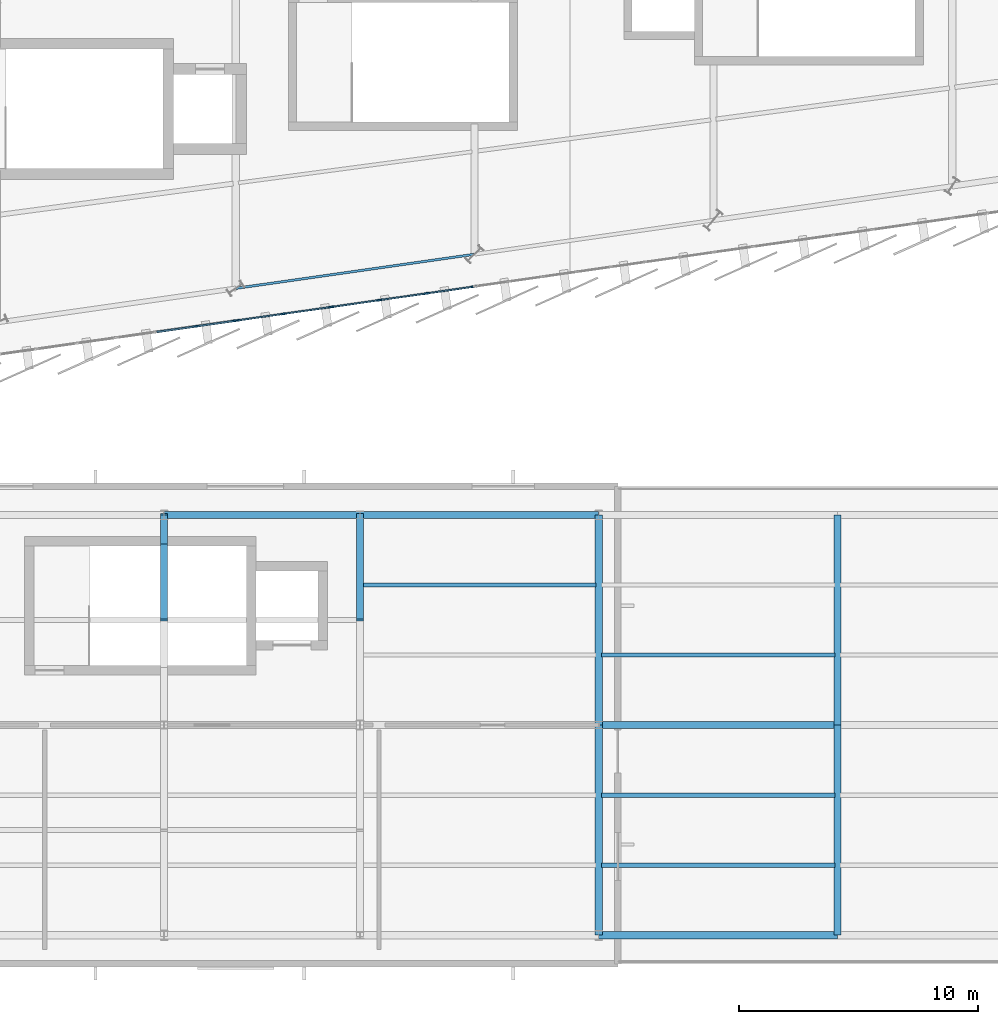
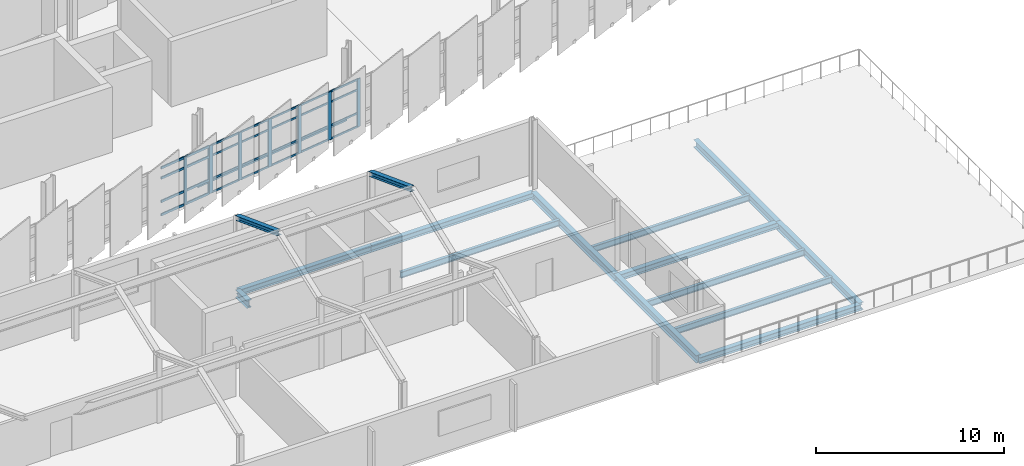
# One storey, part 23 of 87: 36 members, 16 beams, 2 elements without a shape of their own.
"""IFC4 building model written with IfcOpenShell, lengths in metres."""

from ifc_helpers import new_model, si_unit, direction, frame, origin, origin_2d, place, context, subcontext, project, spatial, rectangle, hollow_rectangle, i_section, extrude, material, layer, layer_set, material_profile, profile_set, type_object, element, aggregate, save


model = new_model("IFC4")

# Units and contexts
model_context = context("Model", 3, precision=1e-05, world=origin(), true_north=direction((0.0, 1.0)))
body_context = subcontext(model_context, "Body", "Model", "MODEL_VIEW")
ifc_project = project(units=[si_unit("LENGTHUNIT", "METRE"), si_unit("AREAUNIT", "SQUARE_METRE"), si_unit("VOLUMEUNIT", "CUBIC_METRE"), si_unit("PLANEANGLEUNIT", "RADIAN"), si_unit("MASSUNIT", "GRAM", prefix="KILO")], contexts=[model_context])

# Site, building, storey
site_placement = place(None, origin())
site = spatial("IfcSite", under=ifc_project, at=site_placement, CompositionType="ELEMENT")
building_placement = place(site_placement, origin())
building = spatial("IfcBuilding", under=site, at=building_placement, Name="Sohan Crest Arena", CompositionType="ELEMENT")
storey_placement = place(building_placement, frame((0.0, 0.0, 18.0)))
storey = spatial("IfcBuildingStorey", under=building, at=storey_placement, Name="L04", CompositionType="ELEMENT", Elevation=18.0)

# Curtain wall, members
ifc_material_1 = material(Name="Thermally broken anodised aluminium", Category="aluminium")
ifc_layer_1 = layer(ifc_material_1, 0.219970703125, Name="Thermally broken anodised aluminium")
ifc_layer_set_1 = layer_set([ifc_layer_1], Name="Thermally broken anodised aluminium")
curtain_wall_type_1 = type_object("IfcCurtainWallType", Name="ARC-CW03", PredefinedType="NOTDEFINED", material=ifc_layer_set_1)
curtain_wall_1_placement = place(storey_placement, origin())
curtain_wall_1 = element("IfcCurtainWall", 1, at=curtain_wall_1_placement, inside=storey, type_object=curtain_wall_type_1, Name="Unitised curtain wall CW-126", PredefinedType="NOTDEFINED")
ifc_material_profile_1 = material_profile(ifc_material_1, rectangle(XDim=0.070068359375, YDim=0.199951171875, at=origin_2d()), Name="ALU-MULL 70x200")
ifc_profile_set_1 = profile_set([ifc_material_profile_1], Name="Thermally broken anodised aluminium")
member_type_1 = type_object("IfcMemberType", Name="ARC-CW-ML03", PredefinedType="MULLION", material=ifc_profile_set_1)
member_1_placement = place(storey_placement, frame((126.333251953125, 32.69775390625, 0.0), z_axis=(0.0, 0.0, 1.0), x_axis=(-0.141462933734, 0.989943553128, 0.0)))
member_1 = element("IfcMember", 2, at=member_1_placement, type_object=member_type_1, Name="CW-126 mullion 6", PredefinedType="MULLION", context=body_context, shape_type="SweptSolid", body=[
    extrude(rectangle(XDim=0.070068359375, YDim=0.199951171875, at=origin_2d()), origin(), (0.0, 0.0, 1.0), 3.1201171875),
])
member_2_placement = place(storey_placement, frame((127.96533203125, 32.93115234375, 0.0), z_axis=(0.0, 0.0, 1.0), x_axis=(-0.141462933734, 0.989943553128, 0.0)))
member_2 = element("IfcMember", 3, at=member_2_placement, type_object=member_type_1, Name="CW-126 mullion 7", PredefinedType="MULLION", context=body_context, shape_type="SweptSolid", body=[
    extrude(rectangle(XDim=0.070068359375, YDim=0.199951171875, at=origin_2d()), origin(), (0.0, 0.0, 1.0), 3.1201171875),
])

ifc_layer_2 = layer(ifc_material_1, 0.239990234375, Name="Thermally broken anodised aluminium")
ifc_layer_set_2 = layer_set([ifc_layer_2], Name="Thermally broken anodised aluminium")
curtain_wall_type_2 = type_object("IfcCurtainWallType", Name="ARC-CW04", PredefinedType="NOTDEFINED", material=ifc_layer_set_2)
curtain_wall_2_placement = place(storey_placement, origin())
curtain_wall_2 = element("IfcCurtainWall", 4, at=curtain_wall_2_placement, inside=storey, type_object=curtain_wall_type_2, Name="Unitised curtain wall CW-127", PredefinedType="NOTDEFINED")
ifc_material_profile_2 = material_profile(ifc_material_1, rectangle(XDim=0.074951171875, YDim=0.219970703125, at=origin_2d()), Name="ALU-MULL 75x220")
ifc_profile_set_2 = profile_set([ifc_material_profile_2], Name="Thermally broken anodised aluminium")
member_type_2 = type_object("IfcMemberType", Name="ARC-CW-ML04", PredefinedType="MULLION", material=ifc_profile_set_2)
member_3_placement = place(storey_placement, frame((128.037109375, 32.94140625, 0.0), z_axis=(0.0, 0.0, 1.0), x_axis=(-0.141365918403, 0.989957411768, 0.0)))
member_3 = element("IfcMember", 5, at=member_3_placement, type_object=member_type_2, Name="CW-127 mullion 1", PredefinedType="MULLION", context=body_context, shape_type="SweptSolid", body=[
    extrude(rectangle(XDim=0.074951171875, YDim=0.219970703125, at=origin_2d()), origin(), (0.0, 0.0, 1.0), 3.1201171875),
])
member_4_placement = place(storey_placement, frame((130.0, 33.2216796875, 0.0), z_axis=(0.0, 0.0, 1.0), x_axis=(-0.141365918403, 0.989957411768, 0.0)))
member_4 = element("IfcMember", 6, at=member_4_placement, type_object=member_type_2, Name="CW-127 mullion 2", PredefinedType="MULLION", context=body_context, shape_type="SweptSolid", body=[
    extrude(rectangle(XDim=0.074951171875, YDim=0.219970703125, at=origin_2d()), origin(), (0.0, 0.0, 1.0), 3.1201171875),
])
member_5_placement = place(storey_placement, frame((132.0, 33.507080078125, 0.0), z_axis=(0.0, 0.0, 1.0), x_axis=(-0.141365918403, 0.989957411768, 0.0)))
member_5 = element("IfcMember", 7, at=member_5_placement, type_object=member_type_2, Name="CW-127 mullion 3", PredefinedType="MULLION", context=body_context, shape_type="SweptSolid", body=[
    extrude(rectangle(XDim=0.074951171875, YDim=0.219970703125, at=origin_2d()), origin(), (0.0, 0.0, 1.0), 3.1201171875),
])
member_6_placement = place(storey_placement, frame((134.0, 33.792724609375, 0.0), z_axis=(0.0, 0.0, 1.0), x_axis=(-0.141365918403, 0.989957411768, 0.0)))
member_6 = element("IfcMember", 8, at=member_6_placement, type_object=member_type_2, Name="CW-127 mullion 4", PredefinedType="MULLION", context=body_context, shape_type="SweptSolid", body=[
    extrude(rectangle(XDim=0.074951171875, YDim=0.219970703125, at=origin_2d()), origin(), (0.0, 0.0, 1.0), 3.1201171875),
])
member_7_placement = place(storey_placement, frame((136.0, 34.078369140625, 0.0), z_axis=(0.0, 0.0, 1.0), x_axis=(-0.141365918403, 0.989957411768, 0.0)))
member_7 = element("IfcMember", 9, at=member_7_placement, type_object=member_type_2, Name="CW-127 mullion 5", PredefinedType="MULLION", context=body_context, shape_type="SweptSolid", body=[
    extrude(rectangle(XDim=0.074951171875, YDim=0.219970703125, at=origin_2d()), origin(), (0.0, 0.0, 1.0), 3.1201171875),
])
member_8_placement = place(storey_placement, frame((137.962890625, 34.358642578125, 0.0), z_axis=(0.0, 0.0, 1.0), x_axis=(-0.141365918403, 0.989957411768, 0.0)))
member_8 = element("IfcMember", 10, at=member_8_placement, type_object=member_type_2, Name="CW-127 mullion 6", PredefinedType="MULLION", context=body_context, shape_type="SweptSolid", body=[
    extrude(rectangle(XDim=0.074951171875, YDim=0.219970703125, at=origin_2d()), origin(), (0.0, 0.0, 1.0), 3.1201171875),
])
ifc_material_profile_3 = material_profile(ifc_material_1, rectangle(XDim=0.06005859375, YDim=0.1201171875, at=origin_2d()), Name="ALU-TRAN 60x120")
ifc_profile_set_3 = profile_set([ifc_material_profile_3], Name="Thermally broken anodised aluminium")
member_type_3 = type_object("IfcMemberType", Name="ARC-CW-TR01", PredefinedType="USERDEFINED", material=ifc_profile_set_3)
member_9_placement = place(storey_placement, frame((128.07421875, 32.946533203125, 0.030029296875), z_axis=(0.989952052837, 0.141403440846, 0.0), x_axis=(-0.141403440846, 0.989952052837, 0.0)))
member_9 = element("IfcMember", 11, at=member_9_placement, type_object=member_type_3, Name="CW-127 transom 1.1", ObjectType="TRANSOM", PredefinedType="USERDEFINED", context=body_context, shape_type="SweptSolid", body=[
    extrude(rectangle(XDim=0.06005859375, YDim=0.1201171875, at=origin_2d()), origin(), (0.0, 0.0, 1.0), 1.907958984375),
])
member_10_placement = place(storey_placement, frame((128.07421875, 32.946533203125, 0.89990234375), z_axis=(0.989952052837, 0.141403440846, 0.0), x_axis=(-0.141403440846, 0.989952052837, 0.0)))
member_10 = element("IfcMember", 12, at=member_10_placement, type_object=member_type_3, Name="CW-127 transom 1.2", ObjectType="TRANSOM", PredefinedType="USERDEFINED", context=body_context, shape_type="SweptSolid", body=[
    extrude(rectangle(XDim=0.06005859375, YDim=0.1201171875, at=origin_2d()), origin(), (0.0, 0.0, 1.0), 1.907958984375),
])
member_11_placement = place(storey_placement, frame((128.07421875, 32.946533203125, 2.419921875), z_axis=(0.989952052837, 0.141403440846, 0.0), x_axis=(-0.141403440846, 0.989952052837, 0.0)))
member_11 = element("IfcMember", 13, at=member_11_placement, type_object=member_type_3, Name="CW-127 transom 1.3", ObjectType="TRANSOM", PredefinedType="USERDEFINED", context=body_context, shape_type="SweptSolid", body=[
    extrude(rectangle(XDim=0.06005859375, YDim=0.1201171875, at=origin_2d()), origin(), (0.0, 0.0, 1.0), 1.907958984375),
])
member_12_placement = place(storey_placement, frame((128.07421875, 32.946533203125, 3.090087890625), z_axis=(0.989952052837, 0.141403440846, 0.0), x_axis=(-0.141403440846, 0.989952052837, 0.0)))
member_12 = element("IfcMember", 14, at=member_12_placement, type_object=member_type_3, Name="CW-127 transom 1.4", ObjectType="TRANSOM", PredefinedType="USERDEFINED", context=body_context, shape_type="SweptSolid", body=[
    extrude(rectangle(XDim=0.06005859375, YDim=0.1201171875, at=origin_2d()), origin(), (0.0, 0.0, 1.0), 1.907958984375),
])
member_13_placement = place(storey_placement, frame((130.037109375, 33.226806640625, 0.030029296875), z_axis=(0.989946983498, 0.141438926268, 0.0), x_axis=(-0.141438926268, 0.989946983498, 0.0)))
member_13 = element("IfcMember", 15, at=member_13_placement, type_object=member_type_3, Name="CW-127 transom 2.1", ObjectType="TRANSOM", PredefinedType="USERDEFINED", context=body_context, shape_type="SweptSolid", body=[
    extrude(rectangle(XDim=0.06005859375, YDim=0.1201171875, at=origin_2d()), origin(), (0.0, 0.0, 1.0), 1.9453125),
])
member_14_placement = place(storey_placement, frame((130.037109375, 33.226806640625, 0.89990234375), z_axis=(0.989946983498, 0.141438926268, 0.0), x_axis=(-0.141438926268, 0.989946983498, 0.0)))
member_14 = element("IfcMember", 16, at=member_14_placement, type_object=member_type_3, Name="CW-127 transom 2.2", ObjectType="TRANSOM", PredefinedType="USERDEFINED", context=body_context, shape_type="SweptSolid", body=[
    extrude(rectangle(XDim=0.06005859375, YDim=0.1201171875, at=origin_2d()), origin(), (0.0, 0.0, 1.0), 1.9453125),
])
member_15_placement = place(storey_placement, frame((130.037109375, 33.226806640625, 2.419921875), z_axis=(0.989946983498, 0.141438926268, 0.0), x_axis=(-0.141438926268, 0.989946983498, 0.0)))
member_15 = element("IfcMember", 17, at=member_15_placement, type_object=member_type_3, Name="CW-127 transom 2.3", ObjectType="TRANSOM", PredefinedType="USERDEFINED", context=body_context, shape_type="SweptSolid", body=[
    extrude(rectangle(XDim=0.06005859375, YDim=0.1201171875, at=origin_2d()), origin(), (0.0, 0.0, 1.0), 1.9453125),
])
member_16_placement = place(storey_placement, frame((130.037109375, 33.226806640625, 3.090087890625), z_axis=(0.989946983498, 0.141438926268, 0.0), x_axis=(-0.141438926268, 0.989946983498, 0.0)))
member_16 = element("IfcMember", 18, at=member_16_placement, type_object=member_type_3, Name="CW-127 transom 2.4", ObjectType="TRANSOM", PredefinedType="USERDEFINED", context=body_context, shape_type="SweptSolid", body=[
    extrude(rectangle(XDim=0.06005859375, YDim=0.1201171875, at=origin_2d()), origin(), (0.0, 0.0, 1.0), 1.9453125),
])
member_17_placement = place(storey_placement, frame((132.037109375, 33.512451171875, 0.030029296875), z_axis=(0.989946983498, 0.141438926268, 0.0), x_axis=(-0.141438926268, 0.989946983498, 0.0)))
member_17 = element("IfcMember", 19, at=member_17_placement, type_object=member_type_3, Name="CW-127 transom 3.1", ObjectType="TRANSOM", PredefinedType="USERDEFINED", context=body_context, shape_type="SweptSolid", body=[
    extrude(rectangle(XDim=0.06005859375, YDim=0.1201171875, at=origin_2d()), origin(), (0.0, 0.0, 1.0), 1.9453125),
])
member_18_placement = place(storey_placement, frame((132.037109375, 33.512451171875, 0.89990234375), z_axis=(0.989946983498, 0.141438926268, 0.0), x_axis=(-0.141438926268, 0.989946983498, 0.0)))
member_18 = element("IfcMember", 20, at=member_18_placement, type_object=member_type_3, Name="CW-127 transom 3.2", ObjectType="TRANSOM", PredefinedType="USERDEFINED", context=body_context, shape_type="SweptSolid", body=[
    extrude(rectangle(XDim=0.06005859375, YDim=0.1201171875, at=origin_2d()), origin(), (0.0, 0.0, 1.0), 1.9453125),
])
member_19_placement = place(storey_placement, frame((132.037109375, 33.512451171875, 2.419921875), z_axis=(0.989946983498, 0.141438926268, 0.0), x_axis=(-0.141438926268, 0.989946983498, 0.0)))
member_19 = element("IfcMember", 21, at=member_19_placement, type_object=member_type_3, Name="CW-127 transom 3.3", ObjectType="TRANSOM", PredefinedType="USERDEFINED", context=body_context, shape_type="SweptSolid", body=[
    extrude(rectangle(XDim=0.06005859375, YDim=0.1201171875, at=origin_2d()), origin(), (0.0, 0.0, 1.0), 1.9453125),
])
member_20_placement = place(storey_placement, frame((132.037109375, 33.512451171875, 3.090087890625), z_axis=(0.989946983498, 0.141438926268, 0.0), x_axis=(-0.141438926268, 0.989946983498, 0.0)))
member_20 = element("IfcMember", 22, at=member_20_placement, type_object=member_type_3, Name="CW-127 transom 3.4", ObjectType="TRANSOM", PredefinedType="USERDEFINED", context=body_context, shape_type="SweptSolid", body=[
    extrude(rectangle(XDim=0.06005859375, YDim=0.1201171875, at=origin_2d()), origin(), (0.0, 0.0, 1.0), 1.9453125),
])
member_21_placement = place(storey_placement, frame((134.037109375, 33.798095703125, 0.030029296875), z_axis=(0.98996454836, 0.141315933247, 0.0), x_axis=(-0.141315933247, 0.98996454836, 0.0)))
member_21 = element("IfcMember", 23, at=member_21_placement, type_object=member_type_3, Name="CW-127 transom 4.1", ObjectType="TRANSOM", PredefinedType="USERDEFINED", context=body_context, shape_type="SweptSolid", body=[
    extrude(rectangle(XDim=0.06005859375, YDim=0.1201171875, at=origin_2d()), origin(), (0.0, 0.0, 1.0), 1.9453125),
])
member_22_placement = place(storey_placement, frame((134.037109375, 33.798095703125, 0.89990234375), z_axis=(0.98996454836, 0.141315933247, 0.0), x_axis=(-0.141315933247, 0.98996454836, 0.0)))
member_22 = element("IfcMember", 24, at=member_22_placement, type_object=member_type_3, Name="CW-127 transom 4.2", ObjectType="TRANSOM", PredefinedType="USERDEFINED", context=body_context, shape_type="SweptSolid", body=[
    extrude(rectangle(XDim=0.06005859375, YDim=0.1201171875, at=origin_2d()), origin(), (0.0, 0.0, 1.0), 1.9453125),
])
member_23_placement = place(storey_placement, frame((134.037109375, 33.798095703125, 2.419921875), z_axis=(0.98996454836, 0.141315933247, 0.0), x_axis=(-0.141315933247, 0.98996454836, 0.0)))
member_23 = element("IfcMember", 25, at=member_23_placement, type_object=member_type_3, Name="CW-127 transom 4.3", ObjectType="TRANSOM", PredefinedType="USERDEFINED", context=body_context, shape_type="SweptSolid", body=[
    extrude(rectangle(XDim=0.06005859375, YDim=0.1201171875, at=origin_2d()), origin(), (0.0, 0.0, 1.0), 1.9453125),
])
member_24_placement = place(storey_placement, frame((134.037109375, 33.798095703125, 3.090087890625), z_axis=(0.98996454836, 0.141315933247, 0.0), x_axis=(-0.141315933247, 0.98996454836, 0.0)))
member_24 = element("IfcMember", 26, at=member_24_placement, type_object=member_type_3, Name="CW-127 transom 4.4", ObjectType="TRANSOM", PredefinedType="USERDEFINED", context=body_context, shape_type="SweptSolid", body=[
    extrude(rectangle(XDim=0.06005859375, YDim=0.1201171875, at=origin_2d()), origin(), (0.0, 0.0, 1.0), 1.9453125),
])
member_25_placement = place(storey_placement, frame((136.037109375, 34.083740234375, 0.030029296875), z_axis=(0.989952052837, 0.141403440846, 0.0), x_axis=(-0.141403440846, 0.989952052837, 0.0)))
member_25 = element("IfcMember", 27, at=member_25_placement, type_object=member_type_3, Name="CW-127 transom 5.1", ObjectType="TRANSOM", PredefinedType="USERDEFINED", context=body_context, shape_type="SweptSolid", body=[
    extrude(rectangle(XDim=0.06005859375, YDim=0.1201171875, at=origin_2d()), origin(), (0.0, 0.0, 1.0), 1.907958984375),
])
member_26_placement = place(storey_placement, frame((136.037109375, 34.083740234375, 0.89990234375), z_axis=(0.989952052837, 0.141403440846, 0.0), x_axis=(-0.141403440846, 0.989952052837, 0.0)))
member_26 = element("IfcMember", 28, at=member_26_placement, type_object=member_type_3, Name="CW-127 transom 5.2", ObjectType="TRANSOM", PredefinedType="USERDEFINED", context=body_context, shape_type="SweptSolid", body=[
    extrude(rectangle(XDim=0.06005859375, YDim=0.1201171875, at=origin_2d()), origin(), (0.0, 0.0, 1.0), 1.907958984375),
])
member_27_placement = place(storey_placement, frame((136.037109375, 34.083740234375, 2.419921875), z_axis=(0.989952052837, 0.141403440846, 0.0), x_axis=(-0.141403440846, 0.989952052837, 0.0)))
member_27 = element("IfcMember", 29, at=member_27_placement, type_object=member_type_3, Name="CW-127 transom 5.3", ObjectType="TRANSOM", PredefinedType="USERDEFINED", context=body_context, shape_type="SweptSolid", body=[
    extrude(rectangle(XDim=0.06005859375, YDim=0.1201171875, at=origin_2d()), origin(), (0.0, 0.0, 1.0), 1.907958984375),
])
member_28_placement = place(storey_placement, frame((136.037109375, 34.083740234375, 3.090087890625), z_axis=(0.989952052837, 0.141403440846, 0.0), x_axis=(-0.141403440846, 0.989952052837, 0.0)))
member_28 = element("IfcMember", 30, at=member_28_placement, type_object=member_type_3, Name="CW-127 transom 5.4", ObjectType="TRANSOM", PredefinedType="USERDEFINED", context=body_context, shape_type="SweptSolid", body=[
    extrude(rectangle(XDim=0.06005859375, YDim=0.1201171875, at=origin_2d()), origin(), (0.0, 0.0, 1.0), 1.907958984375),
])
aggregate(curtain_wall_2, [member_3, member_4, member_5, member_6, member_7, member_8, member_9, member_10, member_11, member_12, member_13, member_14, member_15, member_16, member_17, member_18, member_19, member_20, member_21, member_22, member_23, member_24, member_25, member_26, member_27, member_28])

# Member
ifc_material_profile_4 = material_profile(ifc_material_1, rectangle(XDim=0.070068359375, YDim=0.14990234375, at=origin_2d()), Name="ALU-TRAN 70x150")
ifc_profile_set_4 = profile_set([ifc_material_profile_4], Name="Thermally broken anodised aluminium")
member_type_4 = type_object("IfcMemberType", Name="ARC-CW-TR03", PredefinedType="USERDEFINED", material=ifc_profile_set_4)
member_29_placement = place(storey_placement, frame((124.701416015625, 32.464599609375, 0.034912109375), z_axis=(0.989940412375, 0.141484910665, 0.0), x_axis=(-0.141484910665, 0.989940412375, 0.0)))
member_29 = element("IfcMember", 31, at=member_29_placement, type_object=member_type_4, Name="CW-126 transom 5.1", ObjectType="TRANSOM", PredefinedType="USERDEFINED", context=body_context, shape_type="SweptSolid", body=[
    extrude(rectangle(XDim=0.070068359375, YDim=0.14990234375, at=origin_2d()), origin(), (0.0, 0.0, 1.0), 1.61328125),
])

member_30_placement = place(storey_placement, frame((124.701416015625, 32.464599609375, 0.89990234375), z_axis=(0.989940412375, 0.141484910665, 0.0), x_axis=(-0.141484910665, 0.989940412375, 0.0)))
member_30 = element("IfcMember", 32, at=member_30_placement, type_object=member_type_4, Name="CW-126 transom 5.2", ObjectType="TRANSOM", PredefinedType="USERDEFINED", context=body_context, shape_type="SweptSolid", body=[
    extrude(rectangle(XDim=0.070068359375, YDim=0.14990234375, at=origin_2d()), origin(), (0.0, 0.0, 1.0), 1.61328125),
])

member_31_placement = place(storey_placement, frame((124.701416015625, 32.464599609375, 2.419921875), z_axis=(0.989940412375, 0.141484910665, 0.0), x_axis=(-0.141484910665, 0.989940412375, 0.0)))
member_31 = element("IfcMember", 33, at=member_31_placement, type_object=member_type_4, Name="CW-126 transom 5.3", ObjectType="TRANSOM", PredefinedType="USERDEFINED", context=body_context, shape_type="SweptSolid", body=[
    extrude(rectangle(XDim=0.070068359375, YDim=0.14990234375, at=origin_2d()), origin(), (0.0, 0.0, 1.0), 1.61328125),
])

member_32_placement = place(storey_placement, frame((124.701416015625, 32.464599609375, 3.0849609375), z_axis=(0.989940412375, 0.141484910665, 0.0), x_axis=(-0.141484910665, 0.989940412375, 0.0)))
member_32 = element("IfcMember", 34, at=member_32_placement, type_object=member_type_4, Name="CW-126 transom 5.4", ObjectType="TRANSOM", PredefinedType="USERDEFINED", context=body_context, shape_type="SweptSolid", body=[
    extrude(rectangle(XDim=0.070068359375, YDim=0.14990234375, at=origin_2d()), origin(), (0.0, 0.0, 1.0), 1.61328125),
])

member_33_placement = place(storey_placement, frame((126.367919921875, 32.702880859375, 0.034912109375), z_axis=(0.989958770944, 0.141356400038, 0.0), x_axis=(-0.141356400038, 0.989958770944, 0.0)))
member_33 = element("IfcMember", 35, at=member_33_placement, type_object=member_type_4, Name="CW-126 transom 6.1", ObjectType="TRANSOM", PredefinedType="USERDEFINED", context=body_context, shape_type="SweptSolid", body=[
    extrude(rectangle(XDim=0.070068359375, YDim=0.14990234375, at=origin_2d()), origin(), (0.0, 0.0, 1.0), 1.57861328125),
])

member_34_placement = place(storey_placement, frame((126.367919921875, 32.702880859375, 0.89990234375), z_axis=(0.989958770944, 0.141356400038, 0.0), x_axis=(-0.141356400038, 0.989958770944, 0.0)))
member_34 = element("IfcMember", 36, at=member_34_placement, type_object=member_type_4, Name="CW-126 transom 6.2", ObjectType="TRANSOM", PredefinedType="USERDEFINED", context=body_context, shape_type="SweptSolid", body=[
    extrude(rectangle(XDim=0.070068359375, YDim=0.14990234375, at=origin_2d()), origin(), (0.0, 0.0, 1.0), 1.57861328125),
])

member_35_placement = place(storey_placement, frame((126.367919921875, 32.702880859375, 2.419921875), z_axis=(0.989958770944, 0.141356400038, 0.0), x_axis=(-0.141356400038, 0.989958770944, 0.0)))
member_35 = element("IfcMember", 37, at=member_35_placement, type_object=member_type_4, Name="CW-126 transom 6.3", ObjectType="TRANSOM", PredefinedType="USERDEFINED", context=body_context, shape_type="SweptSolid", body=[
    extrude(rectangle(XDim=0.070068359375, YDim=0.14990234375, at=origin_2d()), origin(), (0.0, 0.0, 1.0), 1.57861328125),
])

member_36_placement = place(storey_placement, frame((126.367919921875, 32.702880859375, 3.0849609375), z_axis=(0.989958770944, 0.141356400038, 0.0), x_axis=(-0.141356400038, 0.989958770944, 0.0)))
member_36 = element("IfcMember", 38, at=member_36_placement, type_object=member_type_4, Name="CW-126 transom 6.4", ObjectType="TRANSOM", PredefinedType="USERDEFINED", context=body_context, shape_type="SweptSolid", body=[
    extrude(rectangle(XDim=0.070068359375, YDim=0.14990234375, at=origin_2d()), origin(), (0.0, 0.0, 1.0), 1.57861328125),
])

aggregate(curtain_wall_1, [member_1, member_2, member_29, member_30, member_31, member_32, member_33, member_34, member_35, member_36])

# Beams
ifc_material_2 = material(Name="Steel S355", Category="steel")
ifc_material_profile_5 = material_profile(ifc_material_2, i_section(OverallWidth=0.179931640625, OverallDepth=0.39990234375, WebThickness=0.008544921875, FlangeThickness=0.013427734375, at=origin_2d()), Name="IPE 400")
ifc_profile_set_5 = profile_set([ifc_material_profile_5], Name="Steel S355")
beam_type_1 = type_object("IfcBeamType", Name="STR-BM-B03", PredefinedType="JOIST", material=ifc_profile_set_5)
for number, where, z_axis, x_axis, name in (
    (39, (143.31005859375, 10.133056640625, -0.544921875), (1.0, 0.0, 0.0), (0.0, 1.0, 0.0), "Structural beam J-L04-2814"),
    (40, (143.31005859375, 13.06689453125, -0.544921875), (1.0, 0.0, 0.0), (0.0, 1.0, 0.0), "Structural beam J-L04-2815"),
    (41, (133.31005859375, 21.866943359375, -0.449951171875), (1.0, 0.0, 0.0), (0.0, 1.0, 0.0), "Structural beam J-L04-2831"),
    (42, (143.31005859375, 18.93310546875, -0.544921875), (1.0, 0.0, 0.0), (0.0, 1.0, 0.0), "Structural beam J-L04-2833"),
):
    element("IfcBeam", number, at=place(storey_placement, frame(where, z_axis=z_axis, x_axis=x_axis)), inside=storey, type_object=beam_type_1, Name=name, PredefinedType="JOIST", context=body_context, shape_type="SweptSolid", body=[
        extrude(i_section(OverallWidth=0.179931640625, OverallDepth=0.39990234375, WebThickness=0.008544921875, FlangeThickness=0.013427734375, at=origin_2d()), origin(), (0.0, 0.0, 1.0), 9.780029296875),
    ])
ifc_material_profile_6 = material_profile(ifc_material_2, i_section(OverallWidth=0.300048828125, OverallDepth=0.2900390625, WebThickness=0.008544921875, FlangeThickness=0.013916015625, at=origin_2d()), Name="HEA 300")
ifc_profile_set_6 = profile_set([ifc_material_profile_6], Name="Steel S355")
beam_type_2 = type_object("IfcBeamType", Name="STR-BM-B08", PredefinedType="BEAM", material=ifc_profile_set_6)
for number, where, z_axis, x_axis, name in (
    (43, (125.0, 20.39990234375, 6.080078125), (0.0, 0.93562113017, -0.35300580842), (-1.0, 0.0, 0.0), "Structural beam BVA-L04-3226"),
    (44, (133.199951171875, 20.39990234375, 6.080078125), (0.0, 0.93562113017, -0.35300580842), (-1.0, 0.0, 0.0), "Structural beam BVA-L04-3228"),
):
    element("IfcBeam", number, at=place(storey_placement, frame(where, z_axis=z_axis, x_axis=x_axis)), inside=storey, type_object=beam_type_2, Name=name, PredefinedType="BEAM", context=body_context, shape_type="SweptSolid", body=[
        extrude(i_section(OverallWidth=0.300048828125, OverallDepth=0.2900390625, WebThickness=0.008544921875, FlangeThickness=0.013916015625, at=origin_2d()), origin(), (0.0, 0.0, 1.0), 4.702880859375),
    ])
ifc_material_profile_7 = material_profile(ifc_material_2, i_section(OverallWidth=0.300048828125, OverallDepth=0.389892578125, WebThickness=0.010986328125, FlangeThickness=0.01904296875, at=origin_2d()), Name="HEA 400")
ifc_profile_set_7 = profile_set([ifc_material_profile_7], Name="Steel S355")
beam_type_3 = type_object("IfcBeamType", Name="STR-BM-B09", PredefinedType="BEAM", material=ifc_profile_set_7)
for number, where, z_axis, x_axis, name in (
    (45, (143.199951171875, 7.199951171875, -0.5400390625), (1.0, 0.0, 0.0), (0.0, 1.0, 0.0), "Structural beam G-L04-2813"),
    (46, (143.199951171875, 16.0, -0.5400390625), (1.0, 0.0, 0.0), (0.0, 1.0, 0.0), "Structural beam G-L04-2832"),
):
    element("IfcBeam", number, at=place(storey_placement, frame(where, z_axis=z_axis, x_axis=x_axis)), inside=storey, type_object=beam_type_3, Name=name, PredefinedType="BEAM", context=body_context, shape_type="SweptSolid", body=[
        extrude(i_section(OverallWidth=0.300048828125, OverallDepth=0.389892578125, WebThickness=0.010986328125, FlangeThickness=0.01904296875, at=origin_2d()), origin(), (0.0, 0.0, 1.0), 10.0),
    ])
beam_1_placement = place(storey_placement, frame((125.0, 24.800048828125, -0.445068359375), z_axis=(1.0, 0.0, 0.0), x_axis=(0.0, 1.0, 0.0)))
element("IfcBeam", 47, at=beam_1_placement, inside=storey, type_object=beam_type_3, Name="Structural beam G-L04-2843", PredefinedType="BEAM", context=body_context, shape_type="SweptSolid", body=[
    extrude(i_section(OverallWidth=0.300048828125, OverallDepth=0.389892578125, WebThickness=0.010986328125, FlangeThickness=0.01904296875, at=origin_2d()), origin(), (0.0, 0.0, 1.0), 8.199951171875),
])
beam_2_placement = place(storey_placement, frame((133.199951171875, 24.800048828125, -0.445068359375), z_axis=(1.0, 0.0, 0.0), x_axis=(0.0, 1.0, 0.0)))
element("IfcBeam", 48, at=beam_2_placement, inside=storey, type_object=beam_type_3, Name="Structural beam G-L04-2844", PredefinedType="BEAM", context=body_context, shape_type="SweptSolid", body=[
    extrude(i_section(OverallWidth=0.300048828125, OverallDepth=0.389892578125, WebThickness=0.010986328125, FlangeThickness=0.01904296875, at=origin_2d()), origin(), (0.0, 0.0, 1.0), 10.0),
])
ifc_material_profile_8 = material_profile(ifc_material_2, i_section(OverallWidth=0.300048828125, OverallDepth=0.489990234375, WebThickness=0.011962890625, FlangeThickness=0.02294921875, at=origin_2d()), Name="HEA 500")
ifc_profile_set_8 = profile_set([ifc_material_profile_8], Name="Steel S355")
beam_type_4 = type_object("IfcBeamType", Name="STR-BM-B10", PredefinedType="BEAM", material=ifc_profile_set_8)
beam_3_placement = place(storey_placement, frame((125.0, 23.580078125, -0.4951171875), z_axis=(0.0, 1.0, 0.0), x_axis=(-1.0, 0.0, 0.0)))
element("IfcBeam", 49, at=beam_3_placement, inside=storey, type_object=beam_type_4, Name="Structural beam G-L04-2783", PredefinedType="BEAM", context=body_context, shape_type="SweptSolid", body=[
    extrude(i_section(OverallWidth=0.300048828125, OverallDepth=0.489990234375, WebThickness=0.011962890625, FlangeThickness=0.02294921875, at=origin_2d()), origin(), (0.0, 0.0, 1.0), 1.219970703125),
])
for number, where, z_axis, x_axis, name in (
    (50, (143.199951171875, 7.199951171875, -0.4951171875), (0.0, 1.0, 0.0), (-1.0, 0.0, 0.0), "Structural beam G-L04-2786"),
    (51, (143.199951171875, 16.0, -0.4951171875), (0.0, 1.0, 0.0), (-1.0, 0.0, 0.0), "Structural beam G-L04-2787"),
    (52, (153.199951171875, 7.199951171875, -0.590087890625), (0.0, 1.0, 0.0), (-1.0, 0.0, 0.0), "Structural beam G-L04-2788"),
    (53, (153.199951171875, 16.0, -0.590087890625), (0.0, 1.0, 0.0), (-1.0, 0.0, 0.0), "Structural beam G-L04-2789"),
):
    element("IfcBeam", number, at=place(storey_placement, frame(where, z_axis=z_axis, x_axis=x_axis)), inside=storey, type_object=beam_type_4, Name=name, PredefinedType="BEAM", context=body_context, shape_type="SweptSolid", body=[
        extrude(i_section(OverallWidth=0.300048828125, OverallDepth=0.489990234375, WebThickness=0.011962890625, FlangeThickness=0.02294921875, at=origin_2d()), origin(), (0.0, 0.0, 1.0), 8.800048828125),
    ])
ifc_material_profile_9 = material_profile(ifc_material_2, hollow_rectangle(XDim=0.10009765625, YDim=0.199951171875, WallThickness=0.008056640625, at=origin_2d()), Name="RHS 200x100x8")
ifc_profile_set_9 = profile_set([ifc_material_profile_9], Name="Steel S355")
beam_type_5 = type_object("IfcBeamType", Name="STR-BM-SP01", PredefinedType="SPANDREL", material=ifc_profile_set_9)
beam_4_placement = place(storey_placement, frame((128.0, 34.285888671875, -0.35009765625), z_axis=(0.989954326844, 0.141387519825, 0.0), x_axis=(-0.141387519825, 0.989954326844, 0.0)))
element("IfcBeam", 54, at=beam_4_placement, inside=storey, type_object=beam_type_5, Name="Structural beam SP-L04-1617", PredefinedType="SPANDREL", context=body_context, shape_type="SweptSolid", body=[
    extrude(hollow_rectangle(XDim=0.10009765625, YDim=0.199951171875, WallThickness=0.008056640625, at=origin_2d()), origin(), (0.0, 0.0, 1.0), 10.1015625),
])

save(model, "model.ifc")
